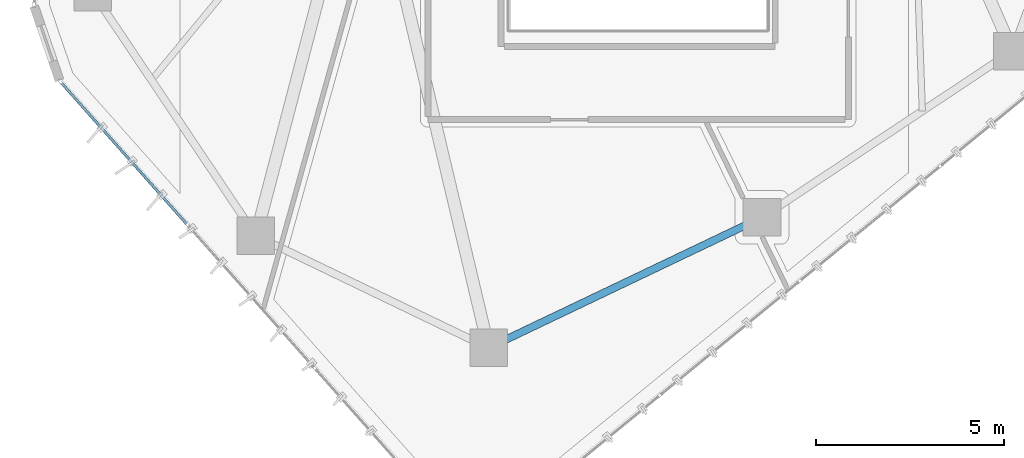
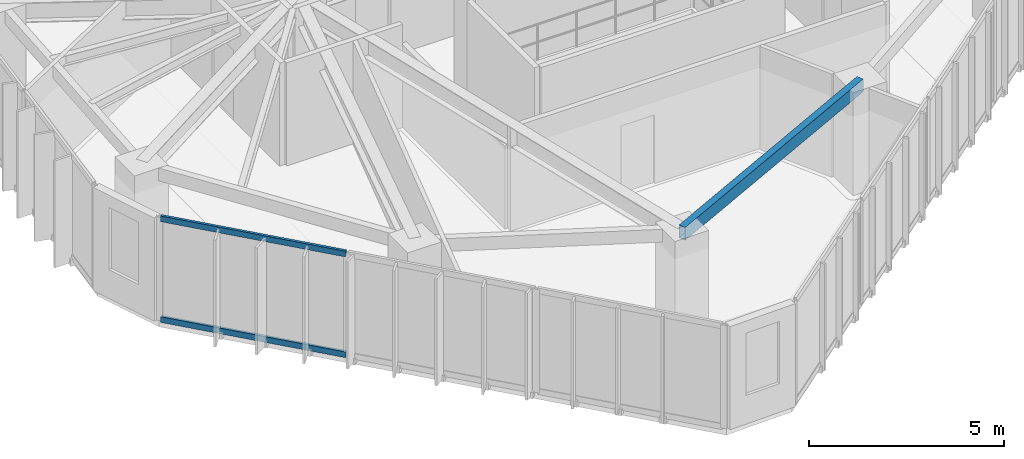
# One storey, part 3 of 22: 2 members, 1 beam, 1 element without a shape of its own.
"""IFC4 building model written with IfcOpenShell, lengths in metres."""

import ifcopenshell
import ifcopenshell.guid

model = None  # the IFC model being written
_history = None  # IfcOwnerHistory: only IFC2X3 demands one
_inside = {}  # id of a spatial element -> (the spatial element, [elements in it])
_under = {}  # id of a project, library or spatial element -> (it, [spatial elements below it])
_declared = {}  # id of a project -> (the project, [libraries it declares])
_typed = {}  # id of a type object -> (the type object, [elements of that type])
_made_of = {}  # id of a material, layer set ... -> (it, [elements and type objects made of it])


def new_model(schema):
    """Start an empty IFC model of exactly this schema.

    Asked for "IFC4X3", IfcOpenShell would pick the latest addendum, in which some entities
    have other attributes; the version numbers below select the first issue.
    IFC2X3 requires an IfcOwnerHistory on every rooted entity: one is made here for all.
    """
    global model, _history
    if schema == "IFC4X3":
        model = ifcopenshell.file(schema_version=(4, 3, 0, 0))
    else:
        model = ifcopenshell.file(schema=schema)
    _inside.clear()
    _under.clear()
    _declared.clear()
    _typed.clear()
    _made_of.clear()
    _history = None
    if model.schema == "IFC2X3":
        org = make("IfcOrganization", Name="unknown")
        user = make(
            "IfcPersonAndOrganization",
            ThePerson=make("IfcPerson", FamilyName="unknown"),
            TheOrganization=org,
        )
        app = make(
            "IfcApplication",
            ApplicationDeveloper=org,
            Version="unknown",
            ApplicationFullName="unknown",
            ApplicationIdentifier="unknown",
        )
        _history = make(
            "IfcOwnerHistory",
            OwningUser=user,
            OwningApplication=app,
            ChangeAction="ADDED",
            CreationDate=0,
        )
    return model


def make(cls, **values):
    """One entity of the class cls with the attributes given. An attribute that is None is left unset."""
    return model.create_entity(
        cls, **{name: value for name, value in values.items() if value is not None}
    )


def rooted(cls, **values):
    """An entity with a GlobalId (a new one), such as an element, a storey or a relation."""
    return make(cls, GlobalId=ifcopenshell.guid.new(), OwnerHistory=_history, **values)


def si_unit(unit_type, name, prefix=None):
    """IfcSIUnit, for example si_unit("LENGTHUNIT", "METRE", prefix="MILLI")."""
    return make("IfcSIUnit", UnitType=unit_type, Prefix=prefix, Name=name)


def assignment(units):
    """IfcUnitAssignment: the units of a project."""
    return None if units is None else make("IfcUnitAssignment", Units=units)


def point(xyz):
    """IfcCartesianPoint."""
    return None if xyz is None else make("IfcCartesianPoint", Coordinates=xyz)


def direction(xyz):
    """IfcDirection."""
    return None if xyz is None else make("IfcDirection", DirectionRatios=xyz)


def frame(location, z_axis=None, x_axis=None):
    """IfcAxis2Placement3D, a coordinate frame: its origin and axes. An axis left out is left unset."""
    return make(
        "IfcAxis2Placement3D",
        Location=point(location),
        Axis=direction(z_axis),
        RefDirection=direction(x_axis),
    )


def frame_2d(location, x_axis=None):
    """IfcAxis2Placement2D, a coordinate frame in the plane: its origin and x axis."""
    return make(
        "IfcAxis2Placement2D", Location=point(location), RefDirection=direction(x_axis)
    )


def origin():
    """The frame at (0, 0, 0) with its axes left unset."""
    return frame((0.0, 0.0, 0.0))


def origin_2d():
    """The frame at (0, 0) in the plane with its x axis left unset."""
    return frame_2d((0.0, 0.0))


def place(relative_to, where):
    """IfcLocalPlacement: puts the frame where relative to a parent placement (None: the world)."""
    return make(
        "IfcLocalPlacement", PlacementRelTo=relative_to, RelativePlacement=where
    )


def context(
    kind, dimensions, precision=None, world=None, true_north=None, identifier=None
):
    """IfcGeometricRepresentationContext, for example the 3D "Model" context."""
    return make(
        "IfcGeometricRepresentationContext",
        ContextIdentifier=identifier,
        ContextType=kind,
        CoordinateSpaceDimension=dimensions,
        Precision=precision,
        WorldCoordinateSystem=world,
        TrueNorth=true_north,
    )


def subcontext(parent, identifier, kind, view, scale=None):
    """IfcGeometricRepresentationSubContext, for example "Body" below "Model"."""
    return make(
        "IfcGeometricRepresentationSubContext",
        ContextIdentifier=identifier,
        ContextType=kind,
        ParentContext=parent,
        TargetScale=scale,
        TargetView=view,
    )


def project(units=None, contexts=None):
    """IfcProject with its units and contexts."""
    return rooted(
        "IfcProject",
        Name="project",
        RepresentationContexts=contexts,
        UnitsInContext=assignment(units),
    )


def spatial(cls, under=None, at=None, **own):
    """A site, building, storey or space (cls), placed at a placement, below another one or the project."""
    s = rooted(cls, ObjectPlacement=at, **own)
    if under is not None:
        _under.setdefault(under.id(), (under, []))[1].append(s)
    return s


def profile(cls, at=None, kind="AREA", **sizes):
    """A parametric profile (cls). Its sizes go by their IFC names, for example OverallWidth=200.0."""
    return make(cls, ProfileType=kind, Position=at, **sizes)


def hollow_rectangle(**sizes):
    """IfcRectangleHollowProfileDef."""
    return profile("IfcRectangleHollowProfileDef", **sizes)


def extrude(swept, where, along, depth):
    """IfcExtrudedAreaSolid: the profile swept, set in the frame where, extruded along a direction by depth."""
    return make(
        "IfcExtrudedAreaSolid",
        SweptArea=swept,
        Position=where,
        ExtrudedDirection=direction(along),
        Depth=depth,
    )


def shape(context_of_items, identifier, shape_type, items):
    """IfcShapeRepresentation: the items that make up one representation, for example the "Body"."""
    return make(
        "IfcShapeRepresentation",
        ContextOfItems=context_of_items,
        RepresentationIdentifier=identifier,
        RepresentationType=shape_type,
        Items=items,
    )


def source(mapping_origin, context_of_items, identifier, shape_type, items):
    """IfcRepresentationMap: a shape defined once, which mapped items show again and again."""
    return make(
        "IfcRepresentationMap",
        MappingOrigin=mapping_origin,
        MappedRepresentation=shape(context_of_items, identifier, shape_type, items),
    )


def transform(
    local_origin,
    x_axis=None,
    y_axis=None,
    z_axis=None,
    scale=None,
    scale2=None,
    scale3=None,
    uniform=True,
):
    """IfcCartesianTransformationOperator3D, or its non-uniform kind. x_axis, y_axis, z_axis: its Axis1, 2, 3."""
    if uniform:
        return make(
            "IfcCartesianTransformationOperator3D",
            Axis1=direction(x_axis),
            Axis2=direction(y_axis),
            LocalOrigin=point(local_origin),
            Scale=scale,
            Axis3=direction(z_axis),
        )
    return make(
        "IfcCartesianTransformationOperator3DnonUniform",
        Axis1=direction(x_axis),
        Axis2=direction(y_axis),
        LocalOrigin=point(local_origin),
        Scale=scale,
        Axis3=direction(z_axis),
        Scale2=scale2,
        Scale3=scale3,
    )


def mapped(mapping_source, mapping_target):
    """IfcMappedItem: shows the shape of a source again, moved by a transform."""
    return make(
        "IfcMappedItem", MappingSource=mapping_source, MappingTarget=mapping_target
    )


def material(Name=None, Category=None):
    """IfcMaterial."""
    return make("IfcMaterial", Name=Name, Category=Category)


def layer(
    of_material, thickness, ventilated=None, Name=None, Category=None, Priority=None
):
    """IfcMaterialLayer: one layer of a wall or slab, of a material (None: an air gap)."""
    return make(
        "IfcMaterialLayer",
        Material=of_material,
        LayerThickness=thickness,
        IsVentilated=ventilated,
        Name=Name,
        Category=Category,
        Priority=Priority,
    )


def layer_set(layers, Name=None):
    """IfcMaterialLayerSet."""
    return make("IfcMaterialLayerSet", MaterialLayers=layers, LayerSetName=Name)


def material_profile(
    of_material, cross_section, Name=None, Category=None, Priority=None
):
    """IfcMaterialProfile: a cross section and its material."""
    return make(
        "IfcMaterialProfile",
        Name=Name,
        Material=of_material,
        Profile=cross_section,
        Priority=Priority,
        Category=Category,
    )


def profile_set(profiles, Name=None, composite=None):
    """IfcMaterialProfileSet."""
    return make(
        "IfcMaterialProfileSet",
        Name=Name,
        MaterialProfiles=profiles,
        CompositeProfile=composite,
    )


def made_of(thing, what):
    """Note that an element or type object is made of a material, layer set ...; save() writes the relation."""
    if what is not None:
        _made_of.setdefault(what.id(), (what, []))[1].append(thing)
    return thing


def type_object(cls, material=None, **own):
    """A type object (cls), such as IfcWallType, which elements share."""
    return made_of(rooted(cls, **own), material)


def type_shapes(of_type, sources):
    """Give a type object the sources (RepresentationMaps) that its elements show as mapped items."""
    of_type.RepresentationMaps = sources


def element(
    cls,
    number,
    at=None,
    inside=None,
    cuts=None,
    type_object=None,
    material=None,
    context=None,
    identifier="Body",
    shape_type=None,
    held_by="IfcProductDefinitionShape",
    body=None,
    shapes=None,
    **own,
):
    """One element of the class cls, such as IfcWall. Its Tag is "e" and its number.

    at: its placement. inside: the storey or other place that contains it. cuts: it is an
    opening in that element (IfcRelVoidsElement). A single representation is given by context,
    identifier, shape_type and body (its items); several are given by shapes. held_by: the class
    of the entity that holds the representations. save() writes the other relations.
    """
    e = rooted(cls, Tag="e%d" % number, ObjectPlacement=at, **own)
    if body is not None:
        shapes = [shape(context, identifier, shape_type, body)]
    if shapes is not None:
        e.Representation = make(held_by, Representations=shapes)
    if inside is not None:
        _inside.setdefault(inside.id(), (inside, []))[1].append(e)
    if cuts is not None:
        rooted(
            "IfcRelVoidsElement", RelatingBuildingElement=cuts, RelatedOpeningElement=e
        )
    if type_object is not None:
        _typed.setdefault(type_object.id(), (type_object, []))[1].append(e)
    return made_of(e, material)


def aggregate(whole, parts):
    """IfcRelAggregates: a whole, such as a stair, and the parts it consists of."""
    return rooted("IfcRelAggregates", RelatingObject=whole, RelatedObjects=parts)


def save(model, path):
    """Write the relations noted so far, then the file.

    IfcRelAggregates (storeys below a building ...), IfcRelContainedInSpatialStructure (elements
    in a storey), IfcRelDefinesByType, IfcRelAssociatesMaterial and IfcRelDeclares: one each for
    every whole, place, type object, material and project.
    """
    for whole, parts in _under.values():
        aggregate(whole, parts)
    for where, things in _inside.values():
        rooted(
            "IfcRelContainedInSpatialStructure",
            RelatedElements=things,
            RelatingStructure=where,
        )
    for kind, things in _typed.values():
        rooted("IfcRelDefinesByType", RelatedObjects=things, RelatingType=kind)
    for what, things in _made_of.values():
        rooted("IfcRelAssociatesMaterial", RelatedObjects=things, RelatingMaterial=what)
    for by, libraries in _declared.values():
        rooted("IfcRelDeclares", RelatingContext=by, RelatedDefinitions=libraries)
    model.write(path)


model = new_model("IFC4")

# Units and contexts
model_context = context("Model", 3, precision=1e-05, world=origin(), true_north=direction((0.0, 1.0)))
body_context = subcontext(model_context, "Body", "Model", "MODEL_VIEW")
ifc_project = project(units=[si_unit("LENGTHUNIT", "METRE"), si_unit("AREAUNIT", "SQUARE_METRE"), si_unit("VOLUMEUNIT", "CUBIC_METRE"), si_unit("PLANEANGLEUNIT", "RADIAN"), si_unit("MASSUNIT", "GRAM", prefix="KILO")], contexts=[model_context])

# Site, building, storey
site_placement = place(None, origin())
site = spatial("IfcSite", under=ifc_project, at=site_placement, CompositionType="ELEMENT")
building_placement = place(site_placement, origin())
building = spatial("IfcBuilding", under=site, at=building_placement, Name="Talar Marvaseh", CompositionType="ELEMENT")
storey_placement = place(building_placement, frame((0.0, 0.0, 229.199951171875)))
storey = spatial("IfcBuildingStorey", under=building, at=storey_placement, Name="L60", CompositionType="ELEMENT", Elevation=229.199951171875)

# Beam
ifc_material_1 = material(Name="Steel S355", Category="steel")
ifc_material_profile_1 = material_profile(ifc_material_1, hollow_rectangle(XDim=0.199951171875, YDim=0.39990234375, WallThickness=0.013916015625, at=origin_2d()), Name="RHS400x200x14")
ifc_profile_set_1 = profile_set([ifc_material_profile_1], Name="Steel S355")
beam_type = type_object("IfcBeamType", Name="Zone 3 Perimeter Spandrel Beam RHS400x200x14", PredefinedType="SPANDREL", material=ifc_profile_set_1)
beam_placement = place(storey_placement, frame((29.299072265625, 14.993896484375, 3.030029296875), z_axis=(-0.902562267408, -0.430559349511, 0.0), x_axis=(0.430559349511, -0.902562267408, 0.0)))
element("IfcBeam", 1, at=beam_placement, inside=storey, type_object=beam_type, Name="L60 Zone 3 Perimeter Spandrel Beam RHS400x200x14", PredefinedType="SPANDREL", context=body_context, shape_type="SweptSolid", body=[
    extrude(hollow_rectangle(XDim=0.199951171875, YDim=0.39990234375, WallThickness=0.013916015625, at=origin_2d()), origin(), (0.0, 0.0, 1.0), 8.070556640625),
])

# Curtain wall, members
ifc_material_2 = material(Name="Architectural Aluminium", Category="aluminium")
ifc_layer = layer(ifc_material_2, 0.18994140625)
ifc_layer_set = layer_set([ifc_layer], Name="Architectural Aluminium")
curtain_wall_type = type_object("IfcCurtainWallType", Name="Unitised Solar Atelier Curtain Wall Z3", PredefinedType="NOTDEFINED", material=ifc_layer_set)
curtain_wall_placement = place(storey_placement, origin())
curtain_wall = element("IfcCurtainWall", 2, at=curtain_wall_placement, inside=storey, type_object=curtain_wall_type, Name="L60 Unitised Solar Atelier Curtain Wall Z3", PredefinedType="NOTDEFINED")
ifc_material_profile_2 = material_profile(ifc_material_2, hollow_rectangle(XDim=0.074951171875, YDim=0.179931640625, WallThickness=0.0048828125, at=origin_2d()), Name="RHS180x75x5")
ifc_profile_set_2 = profile_set([ifc_material_profile_2], Name="Architectural Aluminium")
member_type = type_object("IfcMemberType", Name="Unitised Curtain Wall Transom RHS180x75x5", PredefinedType="USERDEFINED", material=ifc_profile_set_2)
shared_shape = source(origin(), body_context, "Body", "SweptSolid", [
    extrude(hollow_rectangle(XDim=0.074951171875, YDim=0.179931640625, WallThickness=0.0048828125, at=origin_2d()), origin(), (0.0, 0.0, 1.0), 5.000732421875),
])
type_shapes(member_type, [shared_shape])
member_1_placement = place(storey_placement, frame((13.967529296875, 14.82666015625, 0.03759765625), z_axis=(-0.663872788382, 0.747845519373, 0.0), x_axis=(-0.747845519373, -0.663872788382, 0.0)))
member_1 = element("IfcMember", 3, at=member_1_placement, type_object=member_type, Name="CW-Z3 transom 3.1", ObjectType="TRANSOM", PredefinedType="USERDEFINED", context=body_context, shape_type="MappedRepresentation", body=[
    mapped(shared_shape, transform((0.0, 0.0, 0.0), x_axis=(1.0, 0.0, 0.0), y_axis=(0.0, 1.0, 0.0), z_axis=(0.0, 0.0, 1.0), scale=1.0)),
])
member_2_placement = place(storey_placement, frame((13.967529296875, 14.82666015625, 3.192626953125), z_axis=(-0.663872788382, 0.747845519373, 0.0), x_axis=(-0.747845519373, -0.663872788382, 0.0)))
member_2 = element("IfcMember", 4, at=member_2_placement, type_object=member_type, Name="CW-Z3 transom 3.2", ObjectType="TRANSOM", PredefinedType="USERDEFINED", context=body_context, shape_type="MappedRepresentation", body=[
    mapped(shared_shape, transform((0.0, 0.0, 0.0), x_axis=(1.0, 0.0, 0.0), y_axis=(0.0, 1.0, 0.0), z_axis=(0.0, 0.0, 1.0), scale=1.0)),
])
aggregate(curtain_wall, [member_1, member_2])

save(model, "model.ifc")
